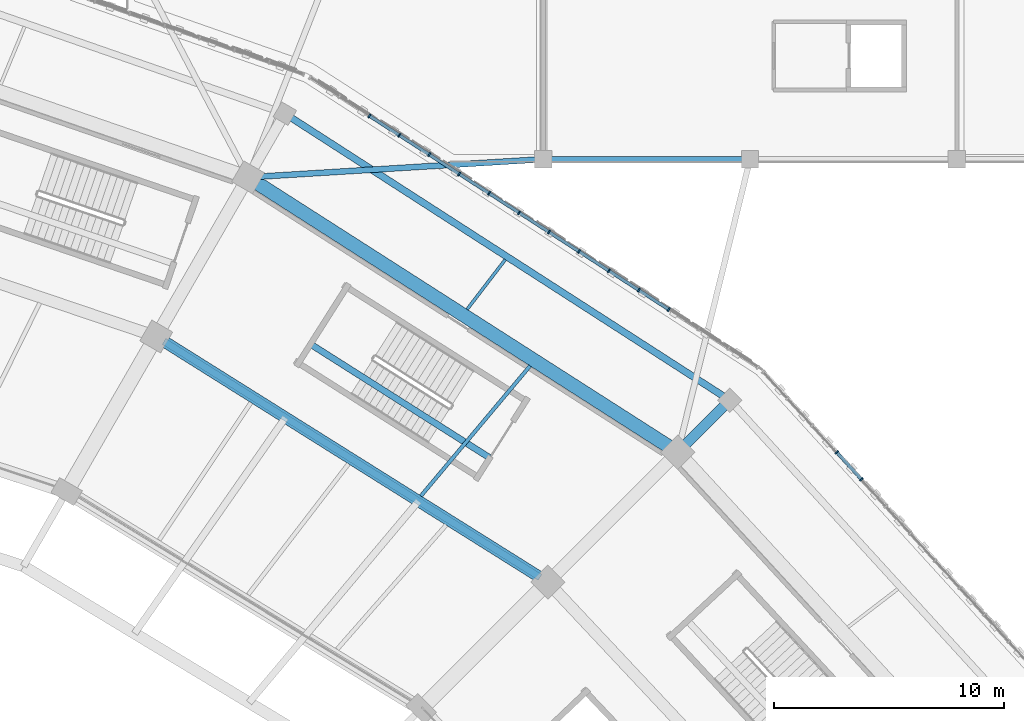
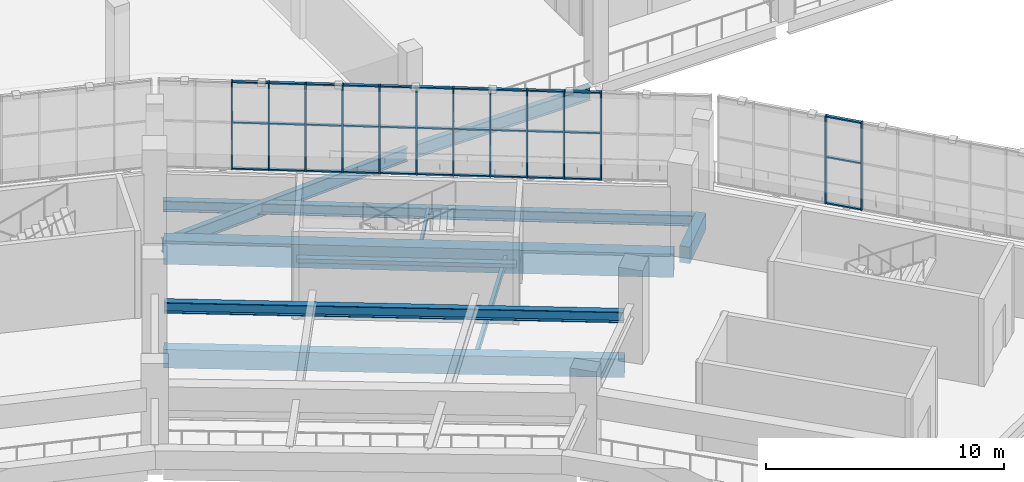
# One storey, part 65 of 179: 46 members, 10 beams, 2 elements without a shape of their own.
"""IFC4 building model written with IfcOpenShell, lengths in metres."""

from ifc_helpers import new_model, si_unit, direction, frame, origin, origin_2d, place, context, subcontext, project, spatial, rectangle, i_section, extrude, material, material_profile, profile_set, type_object, element, aggregate, save


model = new_model("IFC4")

# Units and contexts
model_context = context("Model", 3, precision=1e-05, world=origin(), true_north=direction((0.0, 1.0)))
body_context = subcontext(model_context, "Body", "Model", "MODEL_VIEW")
ifc_project = project(units=[si_unit("LENGTHUNIT", "METRE"), si_unit("AREAUNIT", "SQUARE_METRE"), si_unit("VOLUMEUNIT", "CUBIC_METRE"), si_unit("PLANEANGLEUNIT", "RADIAN"), si_unit("MASSUNIT", "GRAM", prefix="KILO")], contexts=[model_context])

# Site, building, storey
site_placement = place(None, origin())
site = spatial("IfcSite", under=ifc_project, at=site_placement, CompositionType="ELEMENT")
building_placement = place(site_placement, origin())
building = spatial("IfcBuilding", under=site, at=building_placement, Name="Zevraka Park Crest Stadium", CompositionType="ELEMENT")
storey_placement = place(building_placement, frame((0.0, 0.0, 10.199951171875)))
storey = spatial("IfcBuildingStorey", under=building, at=storey_placement, Name="L02", CompositionType="ELEMENT", Elevation=10.199951171875)

# Beams
ifc_material_1 = material(Name="Concrete C40/50", Category="concrete")
ifc_material_profile_1 = material_profile(ifc_material_1, rectangle(XDim=0.449951171875, YDim=0.85009765625, at=origin_2d()), Name="RC 850x450")
ifc_profile_set_1 = profile_set([ifc_material_profile_1], Name="Concrete C40/50")
beam_type_1 = type_object("IfcBeamType", Name="BG03", PredefinedType="BEAM", material=ifc_profile_set_1)
beam_1_placement = place(storey_placement, frame((176.06396484375, 145.45703125, -0.43505859375), z_axis=(0.706965918589, 0.707247615728, 0.0), x_axis=(-0.707247615728, 0.706965918589, 0.0)))
element("IfcBeam", 1, at=beam_1_placement, inside=storey, type_object=beam_type_1, Name="Radial Girder BG03 L02-DE-03", PredefinedType="BEAM", context=body_context, shape_type="SweptSolid", body=[
    extrude(rectangle(XDim=0.449951171875, YDim=0.85009765625, at=origin_2d()), origin(), (0.0, 0.0, 1.0), 2.60009765625),
])
ifc_material_2 = material(Name="Steel S355", Category="steel")
ifc_material_profile_2 = material_profile(ifc_material_2, i_section(OverallWidth=0.253662109375, OverallDepth=0.68359375, WebThickness=0.012451171875, FlangeThickness=0.01904296875, at=origin_2d()), Name="UKB 686x254x140")
ifc_profile_set_2 = profile_set([ifc_material_profile_2], Name="Steel S355")
beam_type_2 = type_object("IfcBeamType", Name="BG05", PredefinedType="BEAM", material=ifc_profile_set_2)
beam_2_placement = place(storey_placement, frame((170.300048828125, 158.0, -0.629638671875), z_axis=(1.0, 0.0, 0.0), x_axis=(0.0, 1.0, 0.0)))
element("IfcBeam", 2, at=beam_2_placement, inside=storey, type_object=beam_type_2, Name="Wing Girder BG05 L02-1920/T", PredefinedType="BEAM", context=body_context, shape_type="SweptSolid", body=[
    extrude(i_section(OverallWidth=0.253662109375, OverallDepth=0.68359375, WebThickness=0.012451171875, FlangeThickness=0.01904296875, at=origin_2d()), origin(), (0.0, 0.0, 1.0), 8.39990234375),
])
beam_3_placement = place(storey_placement, frame((169.800048828125, 157.988037109375, -0.629638671875), z_axis=(-0.998122867072, -0.061243303531, 0.0), x_axis=(0.061243303531, -0.998122867072, 0.0)))
element("IfcBeam", 3, at=beam_3_placement, inside=storey, type_object=beam_type_2, Name="Wing Link Girder BG05 L02-19/T", PredefinedType="BEAM", context=body_context, shape_type="SweptSolid", body=[
    extrude(i_section(OverallWidth=0.253662109375, OverallDepth=0.68359375, WebThickness=0.012451171875, FlangeThickness=0.01904296875, at=origin_2d()), origin(), (0.0, 0.0, 1.0), 12.294189453125),
])

# Curtain wall, members
ifc_material_3 = material(Name="Anodised architectural aluminium and laminated safety glass", Category="aluminium")
curtain_wall_type = type_object("IfcCurtainWallType", Name="CW08", PredefinedType="NOTDEFINED", material=ifc_material_3)
curtain_wall_1_placement = place(storey_placement, origin())
curtain_wall_1 = element("IfcCurtainWall", 4, at=curtain_wall_1_placement, inside=storey, type_object=curtain_wall_type, Name="Unitised Ring Curtain Wall CW08 L02-02", PredefinedType="NOTDEFINED")
ifc_material_4 = material(Name="Anodised architectural aluminium", Category="aluminium")
ifc_material_profile_3 = material_profile(ifc_material_4, rectangle(XDim=0.179931640625, YDim=0.06494140625, at=origin_2d()), Name="ALU MULLION 180x65")
ifc_profile_set_3 = profile_set([ifc_material_profile_3], Name="Anodised architectural aluminium")
member_type_1 = type_object("IfcMemberType", Name="CM02", PredefinedType="MULLION", material=ifc_profile_set_3)
member_1_placement = place(storey_placement, frame((183.84619140625, 144.060791015625, 0.0), z_axis=(0.0, 0.0, 1.0), x_axis=(-0.739496877097, -0.673159987494, 0.0)))
member_1 = element("IfcMember", 5, at=member_1_placement, type_object=member_type_1, Name="CW08 mullion 11", PredefinedType="MULLION", context=body_context, shape_type="SweptSolid", body=[
    extrude(rectangle(XDim=0.179931640625, YDim=0.06494140625, at=origin_2d()), origin(), (0.0, 0.0, 1.0), 4.5),
])
member_2_placement = place(storey_placement, frame((182.775634765625, 145.23681640625, 0.0), z_axis=(0.0, 0.0, 1.0), x_axis=(-0.739496877097, -0.673159987494, 0.0)))
member_2 = element("IfcMember", 6, at=member_2_placement, type_object=member_type_1, Name="CW08 mullion 12", PredefinedType="MULLION", context=body_context, shape_type="SweptSolid", body=[
    extrude(rectangle(XDim=0.179931640625, YDim=0.06494140625, at=origin_2d()), origin(), (0.0, 0.0, 1.0), 4.5),
])

curtain_wall_2_placement = place(storey_placement, origin())
curtain_wall_2 = element("IfcCurtainWall", 7, at=curtain_wall_2_placement, inside=storey, type_object=curtain_wall_type, Name="Unitised Ring Curtain Wall CW08 L02-03", PredefinedType="NOTDEFINED")
member_3_placement = place(storey_placement, frame((175.459228515625, 151.459228515625, 0.0), z_axis=(0.0, 0.0, 1.0), x_axis=(-0.543096287444, -0.839670424967, 0.0)))
member_3 = element("IfcMember", 8, at=member_3_placement, type_object=member_type_1, Name="CW08 mullion 4", PredefinedType="MULLION", context=body_context, shape_type="SweptSolid", body=[
    extrude(rectangle(XDim=0.179931640625, YDim=0.06494140625, at=origin_2d()), origin(), (0.0, 0.0, 1.0), 4.5),
])
member_4_placement = place(storey_placement, frame((174.15625, 152.302001953125, 0.0), z_axis=(0.0, 0.0, 1.0), x_axis=(-0.543096287444, -0.839670424967, 0.0)))
member_4 = element("IfcMember", 9, at=member_4_placement, type_object=member_type_1, Name="CW08 mullion 5", PredefinedType="MULLION", context=body_context, shape_type="SweptSolid", body=[
    extrude(rectangle(XDim=0.179931640625, YDim=0.06494140625, at=origin_2d()), origin(), (0.0, 0.0, 1.0), 4.5),
])
member_5_placement = place(storey_placement, frame((172.853271484375, 153.144775390625, 0.0), z_axis=(0.0, 0.0, 1.0), x_axis=(-0.543096287444, -0.839670424967, 0.0)))
member_5 = element("IfcMember", 10, at=member_5_placement, type_object=member_type_1, Name="CW08 mullion 6", PredefinedType="MULLION", context=body_context, shape_type="SweptSolid", body=[
    extrude(rectangle(XDim=0.179931640625, YDim=0.06494140625, at=origin_2d()), origin(), (0.0, 0.0, 1.0), 4.5),
])
member_6_placement = place(storey_placement, frame((171.55029296875, 153.9873046875, 0.0), z_axis=(0.0, 0.0, 1.0), x_axis=(-0.543096287444, -0.839670424967, 0.0)))
member_6 = element("IfcMember", 11, at=member_6_placement, type_object=member_type_1, Name="CW08 mullion 7", PredefinedType="MULLION", context=body_context, shape_type="SweptSolid", body=[
    extrude(rectangle(XDim=0.179931640625, YDim=0.06494140625, at=origin_2d()), origin(), (0.0, 0.0, 1.0), 4.5),
])
member_7_placement = place(storey_placement, frame((170.24755859375, 154.830078125, 0.0), z_axis=(0.0, 0.0, 1.0), x_axis=(-0.543096287444, -0.839670424967, 0.0)))
member_7 = element("IfcMember", 12, at=member_7_placement, type_object=member_type_1, Name="CW08 mullion 8", PredefinedType="MULLION", context=body_context, shape_type="SweptSolid", body=[
    extrude(rectangle(XDim=0.179931640625, YDim=0.06494140625, at=origin_2d()), origin(), (0.0, 0.0, 1.0), 4.5),
])
member_8_placement = place(storey_placement, frame((168.944580078125, 155.6728515625, 0.0), z_axis=(0.0, 0.0, 1.0), x_axis=(-0.543096287444, -0.839670424967, 0.0)))
member_8 = element("IfcMember", 13, at=member_8_placement, type_object=member_type_1, Name="CW08 mullion 9", PredefinedType="MULLION", context=body_context, shape_type="SweptSolid", body=[
    extrude(rectangle(XDim=0.179931640625, YDim=0.06494140625, at=origin_2d()), origin(), (0.0, 0.0, 1.0), 4.5),
])
member_9_placement = place(storey_placement, frame((167.6416015625, 156.515625, 0.0), z_axis=(0.0, 0.0, 1.0), x_axis=(-0.543096287444, -0.839670424967, 0.0)))
member_9 = element("IfcMember", 14, at=member_9_placement, type_object=member_type_1, Name="CW08 mullion 10", PredefinedType="MULLION", context=body_context, shape_type="SweptSolid", body=[
    extrude(rectangle(XDim=0.179931640625, YDim=0.06494140625, at=origin_2d()), origin(), (0.0, 0.0, 1.0), 4.5),
])
member_10_placement = place(storey_placement, frame((166.338623046875, 157.3583984375, 0.0), z_axis=(0.0, 0.0, 1.0), x_axis=(-0.543096287444, -0.839670424967, 0.0)))
member_10 = element("IfcMember", 15, at=member_10_placement, type_object=member_type_1, Name="CW08 mullion 11", PredefinedType="MULLION", context=body_context, shape_type="SweptSolid", body=[
    extrude(rectangle(XDim=0.179931640625, YDim=0.06494140625, at=origin_2d()), origin(), (0.0, 0.0, 1.0), 4.5),
])
member_11_placement = place(storey_placement, frame((165.03564453125, 158.201171875, 0.0), z_axis=(0.0, 0.0, 1.0), x_axis=(-0.543096287444, -0.839670424967, 0.0)))
member_11 = element("IfcMember", 16, at=member_11_placement, type_object=member_type_1, Name="CW08 mullion 12", PredefinedType="MULLION", context=body_context, shape_type="SweptSolid", body=[
    extrude(rectangle(XDim=0.179931640625, YDim=0.06494140625, at=origin_2d()), origin(), (0.0, 0.0, 1.0), 4.5),
])
member_12_placement = place(storey_placement, frame((163.73291015625, 159.043701171875, 0.0), z_axis=(0.0, 0.0, 1.0), x_axis=(-0.543096287444, -0.839670424967, 0.0)))
member_12 = element("IfcMember", 17, at=member_12_placement, type_object=member_type_1, Name="CW08 mullion 13", PredefinedType="MULLION", context=body_context, shape_type="SweptSolid", body=[
    extrude(rectangle(XDim=0.179931640625, YDim=0.06494140625, at=origin_2d()), origin(), (0.0, 0.0, 1.0), 4.5),
])
member_13_placement = place(storey_placement, frame((162.429931640625, 159.886474609375, 0.0), z_axis=(0.0, 0.0, 1.0), x_axis=(-0.543096287444, -0.839670424967, 0.0)))
member_13 = element("IfcMember", 18, at=member_13_placement, type_object=member_type_1, Name="CW08 mullion 14", PredefinedType="MULLION", context=body_context, shape_type="SweptSolid", body=[
    extrude(rectangle(XDim=0.179931640625, YDim=0.06494140625, at=origin_2d()), origin(), (0.0, 0.0, 1.0), 4.5),
])

# Member
ifc_material_5 = material(Name="Anodised architectural aluminium", Category="aluminium")
ifc_material_profile_4 = material_profile(ifc_material_5, rectangle(XDim=0.139892578125, YDim=0.06494140625, at=origin_2d()), Name="ALU TRANSOM 140x65")
ifc_profile_set_4 = profile_set([ifc_material_profile_4], Name="Anodised architectural aluminium")
member_type_2 = type_object("IfcMemberType", Name="CT02", PredefinedType="USERDEFINED", material=ifc_profile_set_4)
member_14_placement = place(storey_placement, frame((183.824462890625, 144.084716796875, 0.032470703125), z_axis=(-0.673198421242, 0.739461889239, 0.0), x_axis=(-0.739461889239, -0.673198421242, 0.0)))
member_14 = element("IfcMember", 19, at=member_14_placement, type_object=member_type_2, Name="CW08 transom 11.1", ObjectType="TRANSOM", PredefinedType="USERDEFINED", context=body_context, shape_type="SweptSolid", body=[
    extrude(rectangle(XDim=0.139892578125, YDim=0.06494140625, at=origin_2d()), origin(), (0.0, 0.0, 1.0), 1.525390625),
])

member_15_placement = place(storey_placement, frame((183.824462890625, 144.084716796875, 2.400146484375), z_axis=(-0.673198421242, 0.739461889239, 0.0), x_axis=(-0.739461889239, -0.673198421242, 0.0)))
member_15 = element("IfcMember", 20, at=member_15_placement, type_object=member_type_2, Name="CW08 transom 11.2", ObjectType="TRANSOM", PredefinedType="USERDEFINED", context=body_context, shape_type="SweptSolid", body=[
    extrude(rectangle(XDim=0.139892578125, YDim=0.06494140625, at=origin_2d()), origin(), (0.0, 0.0, 1.0), 1.525390625),
])

member_16_placement = place(storey_placement, frame((183.824462890625, 144.084716796875, 4.467529296875), z_axis=(-0.673198421242, 0.739461889239, 0.0), x_axis=(-0.739461889239, -0.673198421242, 0.0)))
member_16 = element("IfcMember", 21, at=member_16_placement, type_object=member_type_2, Name="CW08 transom 11.3", ObjectType="TRANSOM", PredefinedType="USERDEFINED", context=body_context, shape_type="SweptSolid", body=[
    extrude(rectangle(XDim=0.139892578125, YDim=0.06494140625, at=origin_2d()), origin(), (0.0, 0.0, 1.0), 1.525390625),
])

aggregate(curtain_wall_1, [member_1, member_2, member_14, member_15, member_16])

member_17_placement = place(storey_placement, frame((175.431884765625, 151.476806640625, 0.032470703125), z_axis=(-0.839675885301, 0.543087845236, 0.0), x_axis=(-0.543087845236, -0.839675885301, 0.0)))
member_17 = element("IfcMember", 22, at=member_17_placement, type_object=member_type_2, Name="CW08 transom 4.1", ObjectType="TRANSOM", PredefinedType="USERDEFINED", context=body_context, shape_type="SweptSolid", body=[
    extrude(rectangle(XDim=0.139892578125, YDim=0.06494140625, at=origin_2d()), origin(), (0.0, 0.0, 1.0), 1.486572265625),
])

member_18_placement = place(storey_placement, frame((175.431884765625, 151.476806640625, 2.400146484375), z_axis=(-0.839675885301, 0.543087845236, 0.0), x_axis=(-0.543087845236, -0.839675885301, 0.0)))
member_18 = element("IfcMember", 23, at=member_18_placement, type_object=member_type_2, Name="CW08 transom 4.2", ObjectType="TRANSOM", PredefinedType="USERDEFINED", context=body_context, shape_type="SweptSolid", body=[
    extrude(rectangle(XDim=0.139892578125, YDim=0.06494140625, at=origin_2d()), origin(), (0.0, 0.0, 1.0), 1.486572265625),
])

member_19_placement = place(storey_placement, frame((175.431884765625, 151.476806640625, 4.467529296875), z_axis=(-0.839675885301, 0.543087845236, 0.0), x_axis=(-0.543087845236, -0.839675885301, 0.0)))
member_19 = element("IfcMember", 24, at=member_19_placement, type_object=member_type_2, Name="CW08 transom 4.3", ObjectType="TRANSOM", PredefinedType="USERDEFINED", context=body_context, shape_type="SweptSolid", body=[
    extrude(rectangle(XDim=0.139892578125, YDim=0.06494140625, at=origin_2d()), origin(), (0.0, 0.0, 1.0), 1.486572265625),
])

member_20_placement = place(storey_placement, frame((174.12890625, 152.319580078125, 0.032470703125), z_axis=(-0.839675885301, 0.543087845236, 0.0), x_axis=(-0.543087845236, -0.839675885301, 0.0)))
member_20 = element("IfcMember", 25, at=member_20_placement, type_object=member_type_2, Name="CW08 transom 5.1", ObjectType="TRANSOM", PredefinedType="USERDEFINED", context=body_context, shape_type="SweptSolid", body=[
    extrude(rectangle(XDim=0.139892578125, YDim=0.06494140625, at=origin_2d()), origin(), (0.0, 0.0, 1.0), 1.486572265625),
])

member_21_placement = place(storey_placement, frame((174.12890625, 152.319580078125, 2.400146484375), z_axis=(-0.839675885301, 0.543087845236, 0.0), x_axis=(-0.543087845236, -0.839675885301, 0.0)))
member_21 = element("IfcMember", 26, at=member_21_placement, type_object=member_type_2, Name="CW08 transom 5.2", ObjectType="TRANSOM", PredefinedType="USERDEFINED", context=body_context, shape_type="SweptSolid", body=[
    extrude(rectangle(XDim=0.139892578125, YDim=0.06494140625, at=origin_2d()), origin(), (0.0, 0.0, 1.0), 1.486572265625),
])

member_22_placement = place(storey_placement, frame((174.12890625, 152.319580078125, 4.467529296875), z_axis=(-0.839675885301, 0.543087845236, 0.0), x_axis=(-0.543087845236, -0.839675885301, 0.0)))
member_22 = element("IfcMember", 27, at=member_22_placement, type_object=member_type_2, Name="CW08 transom 5.3", ObjectType="TRANSOM", PredefinedType="USERDEFINED", context=body_context, shape_type="SweptSolid", body=[
    extrude(rectangle(XDim=0.139892578125, YDim=0.06494140625, at=origin_2d()), origin(), (0.0, 0.0, 1.0), 1.486572265625),
])

member_23_placement = place(storey_placement, frame((172.825927734375, 153.162353515625, 0.032470703125), z_axis=(-0.839675885301, 0.543087845236, 0.0), x_axis=(-0.543087845236, -0.839675885301, 0.0)))
member_23 = element("IfcMember", 28, at=member_23_placement, type_object=member_type_2, Name="CW08 transom 6.1", ObjectType="TRANSOM", PredefinedType="USERDEFINED", context=body_context, shape_type="SweptSolid", body=[
    extrude(rectangle(XDim=0.139892578125, YDim=0.06494140625, at=origin_2d()), origin(), (0.0, 0.0, 1.0), 1.486572265625),
])

member_24_placement = place(storey_placement, frame((172.825927734375, 153.162353515625, 2.400146484375), z_axis=(-0.839675885301, 0.543087845236, 0.0), x_axis=(-0.543087845236, -0.839675885301, 0.0)))
member_24 = element("IfcMember", 29, at=member_24_placement, type_object=member_type_2, Name="CW08 transom 6.2", ObjectType="TRANSOM", PredefinedType="USERDEFINED", context=body_context, shape_type="SweptSolid", body=[
    extrude(rectangle(XDim=0.139892578125, YDim=0.06494140625, at=origin_2d()), origin(), (0.0, 0.0, 1.0), 1.486572265625),
])

member_25_placement = place(storey_placement, frame((172.825927734375, 153.162353515625, 4.467529296875), z_axis=(-0.839675885301, 0.543087845236, 0.0), x_axis=(-0.543087845236, -0.839675885301, 0.0)))
member_25 = element("IfcMember", 30, at=member_25_placement, type_object=member_type_2, Name="CW08 transom 6.3", ObjectType="TRANSOM", PredefinedType="USERDEFINED", context=body_context, shape_type="SweptSolid", body=[
    extrude(rectangle(XDim=0.139892578125, YDim=0.06494140625, at=origin_2d()), origin(), (0.0, 0.0, 1.0), 1.486572265625),
])

member_26_placement = place(storey_placement, frame((171.523193359375, 154.005126953125, 0.032470703125), z_axis=(-0.839724312152, 0.543012964468, 0.0), x_axis=(-0.543012964468, -0.839724312152, 0.0)))
member_26 = element("IfcMember", 31, at=member_26_placement, type_object=member_type_2, Name="CW08 transom 7.1", ObjectType="TRANSOM", PredefinedType="USERDEFINED", context=body_context, shape_type="SweptSolid", body=[
    extrude(rectangle(XDim=0.139892578125, YDim=0.06494140625, at=origin_2d()), origin(), (0.0, 0.0, 1.0), 1.48681640625),
])

member_27_placement = place(storey_placement, frame((171.523193359375, 154.005126953125, 2.400146484375), z_axis=(-0.839724312152, 0.543012964468, 0.0), x_axis=(-0.543012964468, -0.839724312152, 0.0)))
member_27 = element("IfcMember", 32, at=member_27_placement, type_object=member_type_2, Name="CW08 transom 7.2", ObjectType="TRANSOM", PredefinedType="USERDEFINED", context=body_context, shape_type="SweptSolid", body=[
    extrude(rectangle(XDim=0.139892578125, YDim=0.06494140625, at=origin_2d()), origin(), (0.0, 0.0, 1.0), 1.48681640625),
])

member_28_placement = place(storey_placement, frame((171.523193359375, 154.005126953125, 4.467529296875), z_axis=(-0.839724312152, 0.543012964468, 0.0), x_axis=(-0.543012964468, -0.839724312152, 0.0)))
member_28 = element("IfcMember", 33, at=member_28_placement, type_object=member_type_2, Name="CW08 transom 7.3", ObjectType="TRANSOM", PredefinedType="USERDEFINED", context=body_context, shape_type="SweptSolid", body=[
    extrude(rectangle(XDim=0.139892578125, YDim=0.06494140625, at=origin_2d()), origin(), (0.0, 0.0, 1.0), 1.48681640625),
])

member_29_placement = place(storey_placement, frame((170.22021484375, 154.847900390625, 0.032470703125), z_axis=(-0.839675885301, 0.543087845236, 0.0), x_axis=(-0.543087845236, -0.839675885301, 0.0)))
member_29 = element("IfcMember", 34, at=member_29_placement, type_object=member_type_2, Name="CW08 transom 8.1", ObjectType="TRANSOM", PredefinedType="USERDEFINED", context=body_context, shape_type="SweptSolid", body=[
    extrude(rectangle(XDim=0.139892578125, YDim=0.06494140625, at=origin_2d()), origin(), (0.0, 0.0, 1.0), 1.486572265625),
])

member_30_placement = place(storey_placement, frame((170.22021484375, 154.847900390625, 2.400146484375), z_axis=(-0.839675885301, 0.543087845236, 0.0), x_axis=(-0.543087845236, -0.839675885301, 0.0)))
member_30 = element("IfcMember", 35, at=member_30_placement, type_object=member_type_2, Name="CW08 transom 8.2", ObjectType="TRANSOM", PredefinedType="USERDEFINED", context=body_context, shape_type="SweptSolid", body=[
    extrude(rectangle(XDim=0.139892578125, YDim=0.06494140625, at=origin_2d()), origin(), (0.0, 0.0, 1.0), 1.486572265625),
])

member_31_placement = place(storey_placement, frame((170.22021484375, 154.847900390625, 4.467529296875), z_axis=(-0.839675885301, 0.543087845236, 0.0), x_axis=(-0.543087845236, -0.839675885301, 0.0)))
member_31 = element("IfcMember", 36, at=member_31_placement, type_object=member_type_2, Name="CW08 transom 8.3", ObjectType="TRANSOM", PredefinedType="USERDEFINED", context=body_context, shape_type="SweptSolid", body=[
    extrude(rectangle(XDim=0.139892578125, YDim=0.06494140625, at=origin_2d()), origin(), (0.0, 0.0, 1.0), 1.486572265625),
])

member_32_placement = place(storey_placement, frame((168.917236328125, 155.6904296875, 0.032470703125), z_axis=(-0.839600995064, 0.543203616599, 0.0), x_axis=(-0.543203616599, -0.839600995064, 0.0)))
member_32 = element("IfcMember", 37, at=member_32_placement, type_object=member_type_2, Name="CW08 transom 9.1", ObjectType="TRANSOM", PredefinedType="USERDEFINED", context=body_context, shape_type="SweptSolid", body=[
    extrude(rectangle(XDim=0.139892578125, YDim=0.06494140625, at=origin_2d()), origin(), (0.0, 0.0, 1.0), 1.48681640625),
])

member_33_placement = place(storey_placement, frame((168.917236328125, 155.6904296875, 2.400146484375), z_axis=(-0.839600995064, 0.543203616599, 0.0), x_axis=(-0.543203616599, -0.839600995064, 0.0)))
member_33 = element("IfcMember", 38, at=member_33_placement, type_object=member_type_2, Name="CW08 transom 9.2", ObjectType="TRANSOM", PredefinedType="USERDEFINED", context=body_context, shape_type="SweptSolid", body=[
    extrude(rectangle(XDim=0.139892578125, YDim=0.06494140625, at=origin_2d()), origin(), (0.0, 0.0, 1.0), 1.48681640625),
])

member_34_placement = place(storey_placement, frame((168.917236328125, 155.6904296875, 4.467529296875), z_axis=(-0.839600995064, 0.543203616599, 0.0), x_axis=(-0.543203616599, -0.839600995064, 0.0)))
member_34 = element("IfcMember", 39, at=member_34_placement, type_object=member_type_2, Name="CW08 transom 9.3", ObjectType="TRANSOM", PredefinedType="USERDEFINED", context=body_context, shape_type="SweptSolid", body=[
    extrude(rectangle(XDim=0.139892578125, YDim=0.06494140625, at=origin_2d()), origin(), (0.0, 0.0, 1.0), 1.48681640625),
])

member_35_placement = place(storey_placement, frame((167.6142578125, 156.533203125, 0.032470703125), z_axis=(-0.839675885301, 0.543087845236, 0.0), x_axis=(-0.543087845236, -0.839675885301, 0.0)))
member_35 = element("IfcMember", 40, at=member_35_placement, type_object=member_type_2, Name="CW08 transom 10.1", ObjectType="TRANSOM", PredefinedType="USERDEFINED", context=body_context, shape_type="SweptSolid", body=[
    extrude(rectangle(XDim=0.139892578125, YDim=0.06494140625, at=origin_2d()), origin(), (0.0, 0.0, 1.0), 1.486572265625),
])

member_36_placement = place(storey_placement, frame((167.6142578125, 156.533203125, 2.400146484375), z_axis=(-0.839675885301, 0.543087845236, 0.0), x_axis=(-0.543087845236, -0.839675885301, 0.0)))
member_36 = element("IfcMember", 41, at=member_36_placement, type_object=member_type_2, Name="CW08 transom 10.2", ObjectType="TRANSOM", PredefinedType="USERDEFINED", context=body_context, shape_type="SweptSolid", body=[
    extrude(rectangle(XDim=0.139892578125, YDim=0.06494140625, at=origin_2d()), origin(), (0.0, 0.0, 1.0), 1.486572265625),
])

member_37_placement = place(storey_placement, frame((167.6142578125, 156.533203125, 4.467529296875), z_axis=(-0.839675885301, 0.543087845236, 0.0), x_axis=(-0.543087845236, -0.839675885301, 0.0)))
member_37 = element("IfcMember", 42, at=member_37_placement, type_object=member_type_2, Name="CW08 transom 10.3", ObjectType="TRANSOM", PredefinedType="USERDEFINED", context=body_context, shape_type="SweptSolid", body=[
    extrude(rectangle(XDim=0.139892578125, YDim=0.06494140625, at=origin_2d()), origin(), (0.0, 0.0, 1.0), 1.486572265625),
])

member_38_placement = place(storey_placement, frame((166.311279296875, 157.3759765625, 0.032470703125), z_axis=(-0.839675885301, 0.543087845236, 0.0), x_axis=(-0.543087845236, -0.839675885301, 0.0)))
member_38 = element("IfcMember", 43, at=member_38_placement, type_object=member_type_2, Name="CW08 transom 11.1", ObjectType="TRANSOM", PredefinedType="USERDEFINED", context=body_context, shape_type="SweptSolid", body=[
    extrude(rectangle(XDim=0.139892578125, YDim=0.06494140625, at=origin_2d()), origin(), (0.0, 0.0, 1.0), 1.486572265625),
])

member_39_placement = place(storey_placement, frame((166.311279296875, 157.3759765625, 2.400146484375), z_axis=(-0.839675885301, 0.543087845236, 0.0), x_axis=(-0.543087845236, -0.839675885301, 0.0)))
member_39 = element("IfcMember", 44, at=member_39_placement, type_object=member_type_2, Name="CW08 transom 11.2", ObjectType="TRANSOM", PredefinedType="USERDEFINED", context=body_context, shape_type="SweptSolid", body=[
    extrude(rectangle(XDim=0.139892578125, YDim=0.06494140625, at=origin_2d()), origin(), (0.0, 0.0, 1.0), 1.486572265625),
])

member_40_placement = place(storey_placement, frame((166.311279296875, 157.3759765625, 4.467529296875), z_axis=(-0.839675885301, 0.543087845236, 0.0), x_axis=(-0.543087845236, -0.839675885301, 0.0)))
member_40 = element("IfcMember", 45, at=member_40_placement, type_object=member_type_2, Name="CW08 transom 11.3", ObjectType="TRANSOM", PredefinedType="USERDEFINED", context=body_context, shape_type="SweptSolid", body=[
    extrude(rectangle(XDim=0.139892578125, YDim=0.06494140625, at=origin_2d()), origin(), (0.0, 0.0, 1.0), 1.486572265625),
])

member_41_placement = place(storey_placement, frame((165.008544921875, 158.21875, 0.032470703125), z_axis=(-0.839724312152, 0.543012964468, 0.0), x_axis=(-0.543012964468, -0.839724312152, 0.0)))
member_41 = element("IfcMember", 46, at=member_41_placement, type_object=member_type_2, Name="CW08 transom 12.1", ObjectType="TRANSOM", PredefinedType="USERDEFINED", context=body_context, shape_type="SweptSolid", body=[
    extrude(rectangle(XDim=0.139892578125, YDim=0.06494140625, at=origin_2d()), origin(), (0.0, 0.0, 1.0), 1.48681640625),
])

member_42_placement = place(storey_placement, frame((165.008544921875, 158.21875, 2.400146484375), z_axis=(-0.839724312152, 0.543012964468, 0.0), x_axis=(-0.543012964468, -0.839724312152, 0.0)))
member_42 = element("IfcMember", 47, at=member_42_placement, type_object=member_type_2, Name="CW08 transom 12.2", ObjectType="TRANSOM", PredefinedType="USERDEFINED", context=body_context, shape_type="SweptSolid", body=[
    extrude(rectangle(XDim=0.139892578125, YDim=0.06494140625, at=origin_2d()), origin(), (0.0, 0.0, 1.0), 1.48681640625),
])

member_43_placement = place(storey_placement, frame((165.008544921875, 158.21875, 4.467529296875), z_axis=(-0.839724312152, 0.543012964468, 0.0), x_axis=(-0.543012964468, -0.839724312152, 0.0)))
member_43 = element("IfcMember", 48, at=member_43_placement, type_object=member_type_2, Name="CW08 transom 12.3", ObjectType="TRANSOM", PredefinedType="USERDEFINED", context=body_context, shape_type="SweptSolid", body=[
    extrude(rectangle(XDim=0.139892578125, YDim=0.06494140625, at=origin_2d()), origin(), (0.0, 0.0, 1.0), 1.48681640625),
])

member_44_placement = place(storey_placement, frame((163.70556640625, 159.0615234375, 0.032470703125), z_axis=(-0.839675885301, 0.543087845236, 0.0), x_axis=(-0.543087845236, -0.839675885301, 0.0)))
member_44 = element("IfcMember", 49, at=member_44_placement, type_object=member_type_2, Name="CW08 transom 13.1", ObjectType="TRANSOM", PredefinedType="USERDEFINED", context=body_context, shape_type="SweptSolid", body=[
    extrude(rectangle(XDim=0.139892578125, YDim=0.06494140625, at=origin_2d()), origin(), (0.0, 0.0, 1.0), 1.486572265625),
])

member_45_placement = place(storey_placement, frame((163.70556640625, 159.0615234375, 2.400146484375), z_axis=(-0.839675885301, 0.543087845236, 0.0), x_axis=(-0.543087845236, -0.839675885301, 0.0)))
member_45 = element("IfcMember", 50, at=member_45_placement, type_object=member_type_2, Name="CW08 transom 13.2", ObjectType="TRANSOM", PredefinedType="USERDEFINED", context=body_context, shape_type="SweptSolid", body=[
    extrude(rectangle(XDim=0.139892578125, YDim=0.06494140625, at=origin_2d()), origin(), (0.0, 0.0, 1.0), 1.486572265625),
])

member_46_placement = place(storey_placement, frame((163.70556640625, 159.0615234375, 4.467529296875), z_axis=(-0.839675885301, 0.543087845236, 0.0), x_axis=(-0.543087845236, -0.839675885301, 0.0)))
member_46 = element("IfcMember", 51, at=member_46_placement, type_object=member_type_2, Name="CW08 transom 13.3", ObjectType="TRANSOM", PredefinedType="USERDEFINED", context=body_context, shape_type="SweptSolid", body=[
    extrude(rectangle(XDim=0.139892578125, YDim=0.06494140625, at=origin_2d()), origin(), (0.0, 0.0, 1.0), 1.486572265625),
])

aggregate(curtain_wall_2, [member_3, member_4, member_5, member_6, member_7, member_8, member_9, member_10, member_11, member_12, member_13, member_17, member_18, member_19, member_20, member_21, member_22, member_23, member_24, member_25, member_26, member_27, member_28, member_29, member_30, member_31, member_32, member_33, member_34, member_35, member_36, member_37, member_38, member_39, member_40, member_41, member_42, member_43, member_44, member_45, member_46])

# Beams
ifc_material_6 = material(Name="Concrete C40/50", Category="concrete")
ifc_material_profile_5 = material_profile(ifc_material_6, rectangle(XDim=0.60009765625, YDim=1.199951171875, at=origin_2d()), Name="RC 1200x600")
ifc_profile_set_5 = profile_set([ifc_material_profile_5], Name="Concrete C40/50")
beam_type_3 = type_object("IfcBeamType", Name="RB01", PredefinedType="BEAM", material=ifc_profile_set_5)
beam_4_placement = place(storey_placement, frame((175.531982421875, 145.449951171875, -0.60986328125), z_axis=(-0.842325571453, 0.538969045193, 0.0), x_axis=(-0.538969045193, -0.842325571453, 0.0)))
element("IfcBeam", 52, at=beam_4_placement, inside=storey, type_object=beam_type_3, Name="Ring Beam RB01 L02-D-03", PredefinedType="BEAM", context=body_context, shape_type="SweptSolid", body=[
    extrude(rectangle(XDim=0.60009765625, YDim=1.199951171875, at=origin_2d()), origin(), (0.0, 0.0, 1.0), 21.443115234375),
])
ifc_material_7 = material(Name="Concrete C40/50", Category="concrete")
ifc_material_profile_6 = material_profile(ifc_material_7, rectangle(XDim=0.5, YDim=0.949951171875, at=origin_2d()), Name="RC 950x500")
ifc_profile_set_6 = profile_set([ifc_material_profile_6], Name="Concrete C40/50")
beam_type_4 = type_object("IfcBeamType", Name="RB02", PredefinedType="BEAM", material=ifc_profile_set_6)
beam_5_placement = place(storey_placement, frame((169.873046875, 139.7900390625, -0.48486328125), z_axis=(-0.847038516183, 0.531531515625, 0.0), x_axis=(-0.531531515625, -0.847038516183, 0.0)))
element("IfcBeam", 53, at=beam_5_placement, inside=storey, type_object=beam_type_4, Name="Ring Beam RB02 L02-C-03", PredefinedType="BEAM", context=body_context, shape_type="SweptSolid", body=[
    extrude(rectangle(XDim=0.5, YDim=0.949951171875, at=origin_2d()), origin(), (0.0, 0.0, 1.0), 19.36279296875),
])
ifc_material_8 = material(Name="Steel S355", Category="steel")
ifc_material_profile_7 = material_profile(ifc_material_8, i_section(OverallWidth=0.300048828125, OverallDepth=0.550048828125, WebThickness=0.014892578125, FlangeThickness=0.029052734375, at=origin_2d()), Name="HEB 550")
ifc_profile_set_7 = profile_set([ifc_material_profile_7], Name="Steel S355")
beam_type_5 = type_object("IfcBeamType", Name="RB04", PredefinedType="BEAM", material=ifc_profile_set_7)
beam_6_placement = place(storey_placement, frame((177.820068359375, 147.697998046875, -0.5849609375), z_axis=(-0.840676981124, 0.541536899396, 0.0), x_axis=(-0.541536899396, -0.840676981124, 0.0)))
element("IfcBeam", 54, at=beam_6_placement, inside=storey, type_object=beam_type_5, Name="Ring Beam RB04 L02-E-03", PredefinedType="BEAM", context=body_context, shape_type="SweptSolid", body=[
    extrude(i_section(OverallWidth=0.300048828125, OverallDepth=0.550048828125, WebThickness=0.014892578125, FlangeThickness=0.029052734375, at=origin_2d()), origin(), (0.0, 0.0, 1.0), 22.33447265625),
])
beam_7_placement = place(storey_placement, frame((169.85595703125, 139.801025390625, 2.047119140625), z_axis=(-0.847050732734, 0.531512047065, 0.0), x_axis=(-0.531512047065, -0.847050732734, 0.0)))
element("IfcBeam", 55, at=beam_7_placement, inside=storey, type_object=beam_type_5, Name="Vomitory Cantilever Anchor Support Beam RB04 03", PredefinedType="BEAM", context=body_context, shape_type="SweptSolid", body=[
    extrude(i_section(OverallWidth=0.300048828125, OverallDepth=0.550048828125, WebThickness=0.014892578125, FlangeThickness=0.029052734375, at=origin_2d()), origin(), (0.0, 0.0, 1.0), 19.322265625),
])
ifc_material_9 = material(Name="Steel S355", Category="steel")
ifc_material_profile_8 = material_profile(ifc_material_9, i_section(OverallWidth=0.135009765625, OverallDepth=0.27001953125, WebThickness=0.006591796875, FlangeThickness=0.01025390625, at=origin_2d()), Name="IPE 270")
ifc_profile_set_8 = profile_set([ifc_material_profile_8], Name="Steel S355")
beam_type_6 = type_object("IfcBeamType", Name="SJ07", PredefinedType="JOIST", material=ifc_profile_set_8)
beam_8_placement = place(storey_placement, frame((166.680908203125, 151.462890625, -0.4228515625), z_axis=(0.608829249804, 0.793301294959, 0.0), x_axis=(-0.793301294959, 0.608829249804, 0.0)))
element("IfcBeam", 56, at=beam_8_placement, inside=storey, type_object=beam_type_6, Name="Floor Joist SJ07 L02-DE-03-1", PredefinedType="JOIST", context=body_context, shape_type="SweptSolid", body=[
    extrude(i_section(OverallWidth=0.135009765625, OverallDepth=0.27001953125, WebThickness=0.006591796875, FlangeThickness=0.01025390625, at=origin_2d()), origin(), (0.0, 0.0, 1.0), 2.731689453125),
])
ifc_material_10 = material(Name="Steel S355", Category="steel")
ifc_material_profile_9 = material_profile(ifc_material_10, i_section(OverallWidth=0.159912109375, OverallDepth=0.330078125, WebThickness=0.007568359375, FlangeThickness=0.011474609375, at=origin_2d()), Name="IPE 330")
ifc_profile_set_9 = profile_set([ifc_material_profile_9], Name="Steel S355")
beam_type_7 = type_object("IfcBeamType", Name="SJ08", PredefinedType="JOIST", material=ifc_profile_set_9)
beam_9_placement = place(storey_placement, frame((164.6708984375, 143.341064453125, -0.452880859375), z_axis=(0.642939005042, 0.765917381834, 0.0), x_axis=(-0.765917381834, 0.642939005042, 0.0)))
element("IfcBeam", 57, at=beam_9_placement, inside=storey, type_object=beam_type_7, Name="Floor Joist SJ08 L02-CD-03-1", PredefinedType="JOIST", context=body_context, shape_type="SweptSolid", body=[
    extrude(i_section(OverallWidth=0.159912109375, OverallDepth=0.330078125, WebThickness=0.007568359375, FlangeThickness=0.011474609375, at=origin_2d()), origin(), (0.0, 0.0, 1.0), 7.39892578125),
])
ifc_material_11 = material(Name="Concrete C40/50", Category="concrete")
ifc_material_profile_10 = material_profile(ifc_material_11, rectangle(XDim=0.280029296875, YDim=0.199951171875, at=origin_2d()), Name="RC 200x280")
ifc_profile_set_10 = profile_set([ifc_material_profile_10], Name="Concrete C40/50")
beam_type_8 = type_object("IfcBeamType", Name="SJ13", PredefinedType="JOIST", material=ifc_profile_set_10)
beam_10_placement = place(storey_placement, frame((167.648193359375, 145.012451171875, 2.300048828125), z_axis=(-0.844396466688, 0.53571877608, 0.0), x_axis=(-0.53571877608, -0.844396466688, 0.0)))
element("IfcBeam", 58, at=beam_10_placement, inside=storey, type_object=beam_type_8, Name="Stair Upper-Flight Longitudinal Stringer SJ13 ST04-L02", PredefinedType="JOIST", context=body_context, shape_type="SweptSolid", body=[
    extrude(rectangle(XDim=0.280029296875, YDim=0.199951171875, at=origin_2d()), origin(), (0.0, 0.0, 1.0), 9.249755859375),
])

save(model, "model.ifc")
